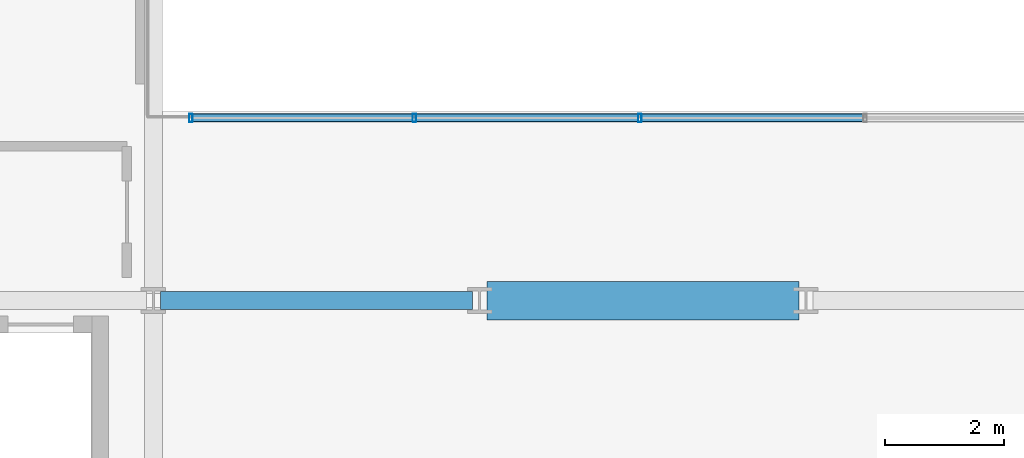
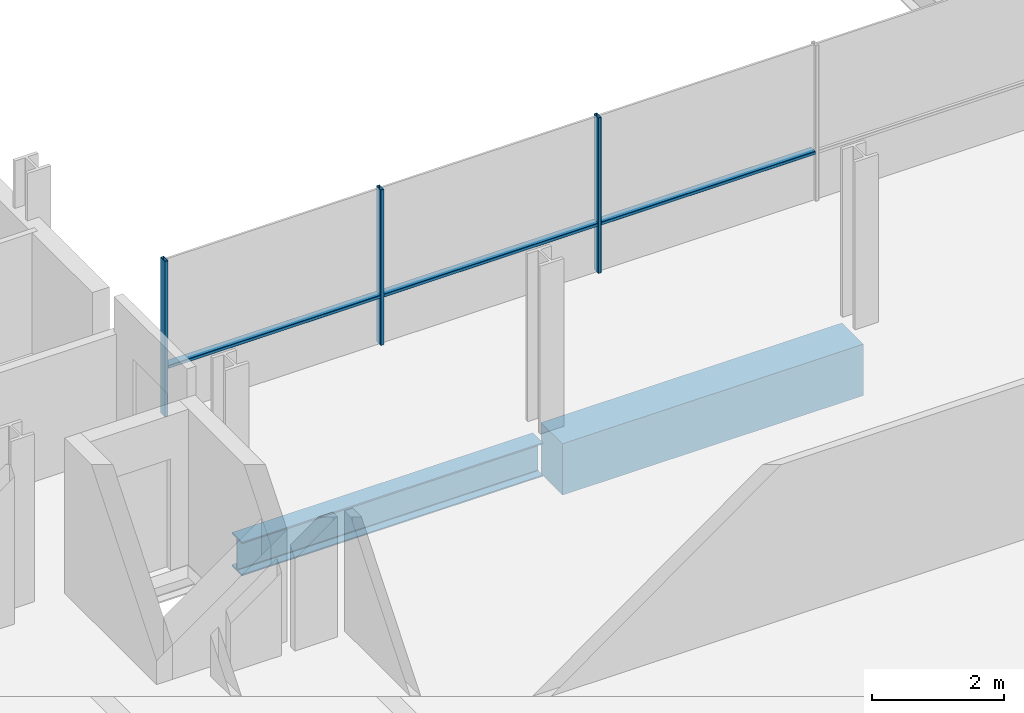
# One storey, part 4 of 41: 6 members, 2 beams, 1 element without a shape of its own.
"""IFC4 building model written with IfcOpenShell, lengths in metres."""

from ifc_helpers import new_model, si_unit, direction, frame, origin, origin_2d, place, context, subcontext, project, spatial, rectangle, hollow_rectangle, i_section, extrude, material, layer, layer_set, material_profile, profile_set, type_object, element, aggregate, save


model = new_model("IFC4")

# Units and contexts
model_context = context("Model", 3, precision=1e-05, world=origin(), true_north=direction((0.0, 1.0)))
body_context = subcontext(model_context, "Body", "Model", "MODEL_VIEW")
ifc_project = project(units=[si_unit("LENGTHUNIT", "METRE"), si_unit("AREAUNIT", "SQUARE_METRE"), si_unit("VOLUMEUNIT", "CUBIC_METRE"), si_unit("PLANEANGLEUNIT", "RADIAN"), si_unit("MASSUNIT", "GRAM", prefix="KILO")], contexts=[model_context])

# Site, building, storey
site_placement = place(None, origin())
site = spatial("IfcSite", under=ifc_project, at=site_placement, CompositionType="ELEMENT")
building_placement = place(site_placement, origin())
building = spatial("IfcBuilding", under=site, at=building_placement, Name="Brevholm Reach", CompositionType="ELEMENT")
storey_placement = place(building_placement, frame((0.0, 0.0, 74.5)))
storey = spatial("IfcBuildingStorey", under=building, at=storey_placement, Name="L21", CompositionType="ELEMENT", Elevation=74.5)

# Beams
ifc_material_1 = material(Name="Concrete C60/75", Category="concrete")
ifc_material_profile_1 = material_profile(ifc_material_1, rectangle(XDim=0.64990234375, YDim=0.949951171875, at=origin_2d()), Name="RC 650x950")
ifc_profile_set_1 = profile_set([ifc_material_profile_1], Name="Concrete C60/75")
beam_type_1 = type_object("IfcBeamType", Name="BM-CB650", PredefinedType="LINTEL", material=ifc_profile_set_1)
beam_1_placement = place(storey_placement, frame((27.3701171875, 10.0, -0.705078125), z_axis=(1.0, 0.0, 0.0), x_axis=(0.0, 1.0, 0.0)))
element("IfcBeam", 1, at=beam_1_placement, inside=storey, type_object=beam_type_1, Name="L21 CB-01 Framing Beam", PredefinedType="LINTEL", context=body_context, shape_type="SweptSolid", body=[
    extrude(rectangle(XDim=0.64990234375, YDim=0.949951171875, at=origin_2d()), origin(), (0.0, 0.0, 1.0), 5.259765625),
])
ifc_material_2 = material(Name="Structural Steel S355J2", Category="steel")
ifc_material_profile_2 = material_profile(ifc_material_2, i_section(OverallWidth=0.30712890625, OverallDepth=0.6201171875, WebThickness=0.01416015625, FlangeThickness=0.023681640625, FilletRadius=0.0166015625, at=origin_2d()), Name="UKB 610x305x179")
ifc_profile_set_2 = profile_set([ifc_material_profile_2], Name="Structural Steel S355J2")
beam_type_2 = type_object("IfcBeamType", Name="BM-UKB610H", PredefinedType="USERDEFINED", material=ifc_profile_set_2)
beam_2_placement = place(storey_placement, frame((21.8701171875, 10.0, -0.5400390625), z_axis=(1.0, 0.0, 0.0), x_axis=(0.0, 1.0, 0.0)))
element("IfcBeam", 2, at=beam_2_placement, inside=storey, type_object=beam_type_2, Name="L21 G-06 Framing Beam", ObjectType="GIRDER", PredefinedType="USERDEFINED", context=body_context, shape_type="SweptSolid", body=[
    extrude(i_section(OverallWidth=0.30712890625, OverallDepth=0.6201171875, WebThickness=0.01416015625, FlangeThickness=0.023681640625, FilletRadius=0.0166015625, at=origin_2d()), origin(), (0.0, 0.0, 1.0), 5.259765625),
])

# Curtain wall, members
ifc_material_3 = material(Name="Dark Anodised Aluminium 6063-T6 and Solar-Control Glass", Category="aluminium")
ifc_layer = layer(ifc_material_3, 0.139892578125)
ifc_layer_set = layer_set([ifc_layer], Name="Dark Anodised Aluminium 6063-T6 and Solar-Control Glass")
curtain_wall_type = type_object("IfcCurtainWallType", Name="CW-02", PredefinedType="NOTDEFINED", material=ifc_layer_set)
curtain_wall_placement = place(storey_placement, origin())
curtain_wall = element("IfcCurtainWall", 3, at=curtain_wall_placement, inside=storey, type_object=curtain_wall_type, Name="L21 Curtain Wall CW-02", PredefinedType="NOTDEFINED")
ifc_material_4 = material(Name="Dark Anodised Aluminium 6063-T6", Category="aluminium")
ifc_material_profile_3 = material_profile(ifc_material_4, hollow_rectangle(XDim=0.06005859375, YDim=0.139892578125, WallThickness=0.0048828125, InnerFilletRadius=0.0048828125, OuterFilletRadius=0.010009765625, at=origin_2d()), Name="RHS 140x60x5")
ifc_profile_set_3 = profile_set([ifc_material_profile_3], Name="Dark Anodised Aluminium 6063-T6")
member_type_1 = type_object("IfcMemberType", Name="CWM-140", PredefinedType="MULLION", material=ifc_profile_set_3)
member_1_placement = place(storey_placement, frame((22.3798828125, 13.080078125, 0.0), z_axis=(0.0, 0.0, 1.0), x_axis=(1.0, 0.0, 0.0)))
member_1 = element("IfcMember", 4, at=member_1_placement, type_object=member_type_1, Name="CM-140 Mullion 1", PredefinedType="MULLION", context=body_context, shape_type="SweptSolid", body=[
    extrude(hollow_rectangle(XDim=0.06005859375, YDim=0.139892578125, WallThickness=0.0048828125, InnerFilletRadius=0.0048828125, OuterFilletRadius=0.010009765625, at=origin_2d()), origin(), (0.0, 0.0, 1.0), 2.8701171875),
])
member_2_placement = place(storey_placement, frame((26.14990234375, 13.080078125, 0.0), z_axis=(0.0, 0.0, 1.0), x_axis=(1.0, 0.0, 0.0)))
member_2 = element("IfcMember", 5, at=member_2_placement, type_object=member_type_1, Name="CM-140 Mullion 2", PredefinedType="MULLION", context=body_context, shape_type="SweptSolid", body=[
    extrude(hollow_rectangle(XDim=0.06005859375, YDim=0.139892578125, WallThickness=0.0048828125, InnerFilletRadius=0.0048828125, OuterFilletRadius=0.010009765625, at=origin_2d()), origin(), (0.0, 0.0, 1.0), 2.8701171875),
])
member_3_placement = place(storey_placement, frame((29.949951171875, 13.080078125, 0.0), z_axis=(0.0, 0.0, 1.0), x_axis=(1.0, 0.0, 0.0)))
member_3 = element("IfcMember", 6, at=member_3_placement, type_object=member_type_1, Name="CM-140 Mullion 3", PredefinedType="MULLION", context=body_context, shape_type="SweptSolid", body=[
    extrude(hollow_rectangle(XDim=0.06005859375, YDim=0.139892578125, WallThickness=0.0048828125, InnerFilletRadius=0.0048828125, OuterFilletRadius=0.010009765625, at=origin_2d()), origin(), (0.0, 0.0, 1.0), 2.8701171875),
])
ifc_material_5 = material(Name="Dark Anodised Aluminium 6063-T6", Category="aluminium")
ifc_material_profile_4 = material_profile(ifc_material_5, hollow_rectangle(XDim=0.06005859375, YDim=0.139892578125, WallThickness=0.0048828125, InnerFilletRadius=0.0048828125, OuterFilletRadius=0.010009765625, at=origin_2d()), Name="RHS 140x60x5")
ifc_profile_set_4 = profile_set([ifc_material_profile_4], Name="Dark Anodised Aluminium 6063-T6")
member_type_2 = type_object("IfcMemberType", Name="CWT-140", PredefinedType="NOTDEFINED", material=ifc_profile_set_4)
member_4_placement = place(storey_placement, frame((22.409912109375, 13.080078125, 0.89990234375), z_axis=(1.0, 0.0, 0.0), x_axis=(0.0, 0.0, 1.0)))
member_4 = element("IfcMember", 7, at=member_4_placement, type_object=member_type_2, Name="CT-140 Transom 1.1", ObjectType="TRANSOM", PredefinedType="USERDEFINED", context=body_context, shape_type="SweptSolid", body=[
    extrude(hollow_rectangle(XDim=0.06005859375, YDim=0.139892578125, WallThickness=0.0048828125, InnerFilletRadius=0.0048828125, OuterFilletRadius=0.010009765625, at=origin_2d()), origin(), (0.0, 0.0, 1.0), 3.710205078125),
])
member_5_placement = place(storey_placement, frame((26.179931640625, 13.080078125, 0.89990234375), z_axis=(1.0, 0.0, 0.0), x_axis=(0.0, 0.0, 1.0)))
member_5 = element("IfcMember", 8, at=member_5_placement, type_object=member_type_2, Name="CT-140 Transom 2.1", ObjectType="TRANSOM", PredefinedType="USERDEFINED", context=body_context, shape_type="SweptSolid", body=[
    extrude(hollow_rectangle(XDim=0.06005859375, YDim=0.139892578125, WallThickness=0.0048828125, InnerFilletRadius=0.0048828125, OuterFilletRadius=0.010009765625, at=origin_2d()), origin(), (0.0, 0.0, 1.0), 3.739990234375),
])
member_6_placement = place(storey_placement, frame((29.97998046875, 13.080078125, 0.89990234375), z_axis=(1.0, 0.0, 0.0), x_axis=(0.0, 0.0, 1.0)))
member_6 = element("IfcMember", 9, at=member_6_placement, type_object=member_type_2, Name="CT-140 Transom 3.1", ObjectType="TRANSOM", PredefinedType="USERDEFINED", context=body_context, shape_type="SweptSolid", body=[
    extrude(hollow_rectangle(XDim=0.06005859375, YDim=0.139892578125, WallThickness=0.0048828125, InnerFilletRadius=0.0048828125, OuterFilletRadius=0.010009765625, at=origin_2d()), origin(), (0.0, 0.0, 1.0), 3.739990234375),
])
aggregate(curtain_wall, [member_1, member_2, member_3, member_4, member_5, member_6])

save(model, "model.ifc")
